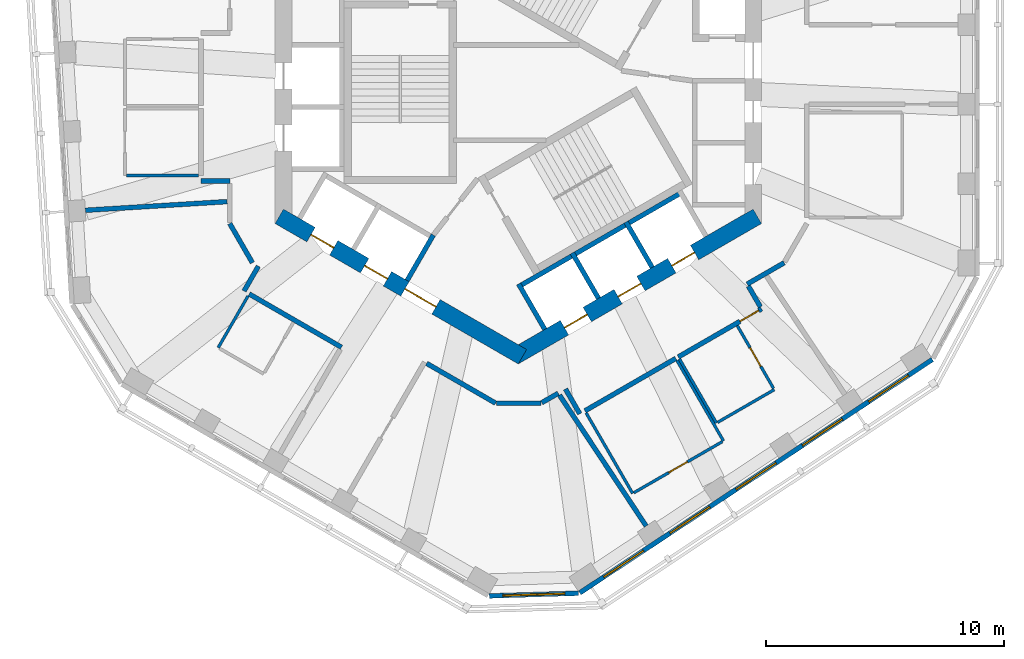
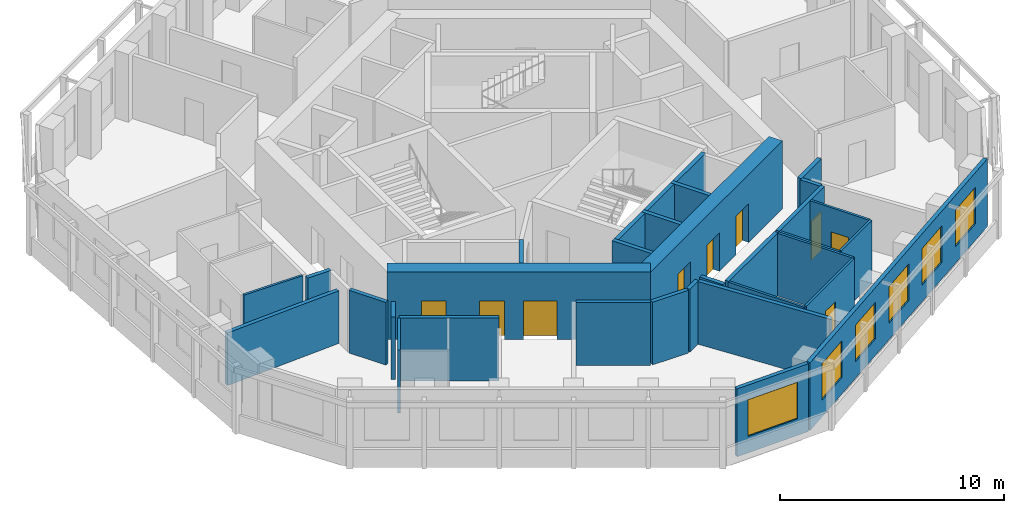
# One storey, part 4 of 11: 31 walls, 9 doors, 6 windows, 15 openings.
"""IFC4 building model written with IfcOpenShell, lengths in metres."""

import ifcopenshell
import ifcopenshell.guid

model = None  # the IFC model being written
_history = None  # IfcOwnerHistory: only IFC2X3 demands one
_inside = {}  # id of a spatial element -> (the spatial element, [elements in it])
_under = {}  # id of a project, library or spatial element -> (it, [spatial elements below it])
_declared = {}  # id of a project -> (the project, [libraries it declares])
_typed = {}  # id of a type object -> (the type object, [elements of that type])
_made_of = {}  # id of a material, layer set ... -> (it, [elements and type objects made of it])


def new_model(schema):
    """Start an empty IFC model of exactly this schema.

    Asked for "IFC4X3", IfcOpenShell would pick the latest addendum, in which some entities
    have other attributes; the version numbers below select the first issue.
    IFC2X3 requires an IfcOwnerHistory on every rooted entity: one is made here for all.
    """
    global model, _history
    if schema == "IFC4X3":
        model = ifcopenshell.file(schema_version=(4, 3, 0, 0))
    else:
        model = ifcopenshell.file(schema=schema)
    _inside.clear()
    _under.clear()
    _declared.clear()
    _typed.clear()
    _made_of.clear()
    _history = None
    if model.schema == "IFC2X3":
        org = make("IfcOrganization", Name="unknown")
        user = make(
            "IfcPersonAndOrganization",
            ThePerson=make("IfcPerson", FamilyName="unknown"),
            TheOrganization=org,
        )
        app = make(
            "IfcApplication",
            ApplicationDeveloper=org,
            Version="unknown",
            ApplicationFullName="unknown",
            ApplicationIdentifier="unknown",
        )
        _history = make(
            "IfcOwnerHistory",
            OwningUser=user,
            OwningApplication=app,
            ChangeAction="ADDED",
            CreationDate=0,
        )
    return model


def make(cls, **values):
    """One entity of the class cls with the attributes given. An attribute that is None is left unset."""
    return model.create_entity(
        cls, **{name: value for name, value in values.items() if value is not None}
    )


def rooted(cls, **values):
    """An entity with a GlobalId (a new one), such as an element, a storey or a relation."""
    return make(cls, GlobalId=ifcopenshell.guid.new(), OwnerHistory=_history, **values)


def si_unit(unit_type, name, prefix=None):
    """IfcSIUnit, for example si_unit("LENGTHUNIT", "METRE", prefix="MILLI")."""
    return make("IfcSIUnit", UnitType=unit_type, Prefix=prefix, Name=name)


def assignment(units):
    """IfcUnitAssignment: the units of a project."""
    return None if units is None else make("IfcUnitAssignment", Units=units)


def point(xyz):
    """IfcCartesianPoint."""
    return None if xyz is None else make("IfcCartesianPoint", Coordinates=xyz)


def direction(xyz):
    """IfcDirection."""
    return None if xyz is None else make("IfcDirection", DirectionRatios=xyz)


def frame(location, z_axis=None, x_axis=None):
    """IfcAxis2Placement3D, a coordinate frame: its origin and axes. An axis left out is left unset."""
    return make(
        "IfcAxis2Placement3D",
        Location=point(location),
        Axis=direction(z_axis),
        RefDirection=direction(x_axis),
    )


def frame_2d(location, x_axis=None):
    """IfcAxis2Placement2D, a coordinate frame in the plane: its origin and x axis."""
    return make(
        "IfcAxis2Placement2D", Location=point(location), RefDirection=direction(x_axis)
    )


def origin():
    """The frame at (0, 0, 0) with its axes left unset."""
    return frame((0.0, 0.0, 0.0))


def place(relative_to, where):
    """IfcLocalPlacement: puts the frame where relative to a parent placement (None: the world)."""
    return make(
        "IfcLocalPlacement", PlacementRelTo=relative_to, RelativePlacement=where
    )


def context(
    kind, dimensions, precision=None, world=None, true_north=None, identifier=None
):
    """IfcGeometricRepresentationContext, for example the 3D "Model" context."""
    return make(
        "IfcGeometricRepresentationContext",
        ContextIdentifier=identifier,
        ContextType=kind,
        CoordinateSpaceDimension=dimensions,
        Precision=precision,
        WorldCoordinateSystem=world,
        TrueNorth=true_north,
    )


def subcontext(parent, identifier, kind, view, scale=None):
    """IfcGeometricRepresentationSubContext, for example "Body" below "Model"."""
    return make(
        "IfcGeometricRepresentationSubContext",
        ContextIdentifier=identifier,
        ContextType=kind,
        ParentContext=parent,
        TargetScale=scale,
        TargetView=view,
    )


def project(units=None, contexts=None):
    """IfcProject with its units and contexts."""
    return rooted(
        "IfcProject",
        Name="project",
        RepresentationContexts=contexts,
        UnitsInContext=assignment(units),
    )


def spatial(cls, under=None, at=None, **own):
    """A site, building, storey or space (cls), placed at a placement, below another one or the project."""
    s = rooted(cls, ObjectPlacement=at, **own)
    if under is not None:
        _under.setdefault(under.id(), (under, []))[1].append(s)
    return s


def profile(cls, at=None, kind="AREA", **sizes):
    """A parametric profile (cls). Its sizes go by their IFC names, for example OverallWidth=200.0."""
    return make(cls, ProfileType=kind, Position=at, **sizes)


def rectangle(**sizes):
    """IfcRectangleProfileDef."""
    return profile("IfcRectangleProfileDef", **sizes)


def extrude(swept, where, along, depth):
    """IfcExtrudedAreaSolid: the profile swept, set in the frame where, extruded along a direction by depth."""
    return make(
        "IfcExtrudedAreaSolid",
        SweptArea=swept,
        Position=where,
        ExtrudedDirection=direction(along),
        Depth=depth,
    )


def shape(context_of_items, identifier, shape_type, items):
    """IfcShapeRepresentation: the items that make up one representation, for example the "Body"."""
    return make(
        "IfcShapeRepresentation",
        ContextOfItems=context_of_items,
        RepresentationIdentifier=identifier,
        RepresentationType=shape_type,
        Items=items,
    )


def material(Name=None, Category=None):
    """IfcMaterial."""
    return make("IfcMaterial", Name=Name, Category=Category)


def layer(
    of_material, thickness, ventilated=None, Name=None, Category=None, Priority=None
):
    """IfcMaterialLayer: one layer of a wall or slab, of a material (None: an air gap)."""
    return make(
        "IfcMaterialLayer",
        Material=of_material,
        LayerThickness=thickness,
        IsVentilated=ventilated,
        Name=Name,
        Category=Category,
        Priority=Priority,
    )


def layer_set(layers, Name=None):
    """IfcMaterialLayerSet."""
    return make("IfcMaterialLayerSet", MaterialLayers=layers, LayerSetName=Name)


def made_of(thing, what):
    """Note that an element or type object is made of a material, layer set ...; save() writes the relation."""
    if what is not None:
        _made_of.setdefault(what.id(), (what, []))[1].append(thing)
    return thing


def type_object(cls, material=None, **own):
    """A type object (cls), such as IfcWallType, which elements share."""
    return made_of(rooted(cls, **own), material)


def element(
    cls,
    number,
    at=None,
    inside=None,
    cuts=None,
    type_object=None,
    material=None,
    context=None,
    identifier="Body",
    shape_type=None,
    held_by="IfcProductDefinitionShape",
    body=None,
    shapes=None,
    **own,
):
    """One element of the class cls, such as IfcWall. Its Tag is "e" and its number.

    at: its placement. inside: the storey or other place that contains it. cuts: it is an
    opening in that element (IfcRelVoidsElement). A single representation is given by context,
    identifier, shape_type and body (its items); several are given by shapes. held_by: the class
    of the entity that holds the representations. save() writes the other relations.
    """
    e = rooted(cls, Tag="e%d" % number, ObjectPlacement=at, **own)
    if body is not None:
        shapes = [shape(context, identifier, shape_type, body)]
    if shapes is not None:
        e.Representation = make(held_by, Representations=shapes)
    if inside is not None:
        _inside.setdefault(inside.id(), (inside, []))[1].append(e)
    if cuts is not None:
        rooted(
            "IfcRelVoidsElement", RelatingBuildingElement=cuts, RelatedOpeningElement=e
        )
    if type_object is not None:
        _typed.setdefault(type_object.id(), (type_object, []))[1].append(e)
    return made_of(e, material)


def fill(opening, filler):
    """IfcRelFillsElement: the door or window that sits in an opening."""
    return rooted(
        "IfcRelFillsElement",
        RelatingOpeningElement=opening,
        RelatedBuildingElement=filler,
    )


def aggregate(whole, parts):
    """IfcRelAggregates: a whole, such as a stair, and the parts it consists of."""
    return rooted("IfcRelAggregates", RelatingObject=whole, RelatedObjects=parts)


def save(model, path):
    """Write the relations noted so far, then the file.

    IfcRelAggregates (storeys below a building ...), IfcRelContainedInSpatialStructure (elements
    in a storey), IfcRelDefinesByType, IfcRelAssociatesMaterial and IfcRelDeclares: one each for
    every whole, place, type object, material and project.
    """
    for whole, parts in _under.values():
        aggregate(whole, parts)
    for where, things in _inside.values():
        rooted(
            "IfcRelContainedInSpatialStructure",
            RelatedElements=things,
            RelatingStructure=where,
        )
    for kind, things in _typed.values():
        rooted("IfcRelDefinesByType", RelatedObjects=things, RelatingType=kind)
    for what, things in _made_of.values():
        rooted("IfcRelAssociatesMaterial", RelatedObjects=things, RelatingMaterial=what)
    for by, libraries in _declared.values():
        rooted("IfcRelDeclares", RelatingContext=by, RelatedDefinitions=libraries)
    model.write(path)


model = new_model("IFC4")

# Units and contexts
model_context = context("Model", 3, precision=1e-05, world=origin(), true_north=direction((0.0, 1.0)))
body_context = subcontext(model_context, "Body", "Model", "MODEL_VIEW")
ifc_project = project(units=[si_unit("LENGTHUNIT", "METRE"), si_unit("AREAUNIT", "SQUARE_METRE"), si_unit("VOLUMEUNIT", "CUBIC_METRE"), si_unit("PLANEANGLEUNIT", "RADIAN"), si_unit("MASSUNIT", "GRAM", prefix="KILO")], contexts=[model_context])

# Site, building, storey
site_placement = place(None, origin())
site = spatial("IfcSite", under=ifc_project, at=site_placement, CompositionType="ELEMENT")
building_placement = place(site_placement, origin())
building = spatial("IfcBuilding", under=site, at=building_placement, Name="Vanh Sen Convention Tower", CompositionType="ELEMENT")
storey_placement = place(building_placement, frame((0.0, 0.0, 270.89990234375)))
storey = spatial("IfcBuildingStorey", under=building, at=storey_placement, Name="L67", CompositionType="ELEMENT", Elevation=270.89990234375)

# Walls
ifc_material_1 = material(Name="Moisture-resistant gypsum board on steel studs", Category="steel")
ifc_layer_1 = layer(ifc_material_1, 0.1201171875)
ifc_layer_set_1 = layer_set([ifc_layer_1], Name="Moisture-resistant gypsum board on steel studs")
wall_type_1 = type_object("IfcWallType", Name="Bathroom partition 120", PredefinedType="PARTITIONING", material=ifc_layer_set_1)
wall_1_placement = place(storey_placement, frame((-13.40087890625, -3.868896484375, 0.0), z_axis=(0.0, 0.0, 1.0), x_axis=(-1.0, 0.0, 0.0)))
element("IfcWall", 1, at=wall_1_placement, inside=storey, type_object=wall_type_1, Name="Bathroom partition 120", PredefinedType="PARTITIONING", context=body_context, shape_type="SweptSolid", body=[
    extrude(rectangle(XDim=3.0400390625, YDim=0.1201171875, at=frame_2d((1.52001953125, 0.0))), origin(), (0.0, 0.0, 1.0), 3.420166015625),
])
wall_2_placement = place(storey_placement, frame((-12.584716796875, -11.09521484375, 0.0), z_axis=(0.0, 0.0, 1.0), x_axis=(0.500004234368, 0.866022959057, 0.0)))
element("IfcWall", 2, at=wall_2_placement, inside=storey, type_object=wall_type_1, Name="Bathroom partition 120", PredefinedType="PARTITIONING", context=body_context, shape_type="SweptSolid", body=[
    extrude(rectangle(XDim=2.5, YDim=0.1201171875, at=frame_2d((1.25, 0.0))), origin(), (0.0, 0.0, 1.0), 3.420166015625),
])
wall_3_placement = place(storey_placement, frame((4.7958984375, -17.20849609375, 0.0), z_axis=(0.0, 0.0, 1.0), x_axis=(-0.500043961785, 0.866000020948, 0.0)))
element("IfcWall", 3, at=wall_3_placement, inside=storey, type_object=wall_type_1, Name="Bathroom partition 120", PredefinedType="PARTITIONING", context=body_context, shape_type="SweptSolid", body=[
    extrude(rectangle(XDim=3.900146484375, YDim=0.1201171875, at=frame_2d((1.9501953125, 0.0))), origin(), (0.0, 0.0, 1.0), 3.420166015625),
])
wall_4_placement = place(storey_placement, frame((6.65625, -11.631103515625, 0.0), z_axis=(0.0, 0.0, 1.0), x_axis=(0.499997012787, -0.866027128446, 0.0)))
element("IfcWall", 4, at=wall_4_placement, inside=storey, type_object=wall_type_1, Name="Bathroom partition 120", PredefinedType="PARTITIONING", context=body_context, shape_type="SweptSolid", body=[
    extrude(rectangle(XDim=3.89990234375, YDim=0.1201171875, at=frame_2d((1.949951171875, 0.0))), origin(), (0.0, 0.0, 1.0), 3.420166015625),
])
wall_5_placement = place(storey_placement, frame((8.310302734375, -14.255859375, 0.0), z_axis=(0.0, 0.0, 1.0), x_axis=(-0.49999285859, 0.86602952684, 0.0)))
element("IfcWall", 5, at=wall_5_placement, inside=storey, type_object=wall_type_1, Name="Bathroom partition 120", PredefinedType="PARTITIONING", context=body_context, shape_type="SweptSolid", body=[
    extrude(rectangle(XDim=3.10009765625, YDim=0.1201171875, at=frame_2d((1.550048828125, 0.0))), origin(), (0.0, 0.0, 1.0), 3.420166015625),
])

# Wall, opening, door
wall_6_placement = place(storey_placement, frame((8.55419921875, -15.03857421875, 0.0), z_axis=(0.0, 0.0, 1.0), x_axis=(-0.865994635417, -0.500053288589, 0.0)))
wall_6 = element("IfcWall", 6, at=wall_6_placement, inside=storey, type_object=wall_type_1, Name="Bathroom partition 120", PredefinedType="PARTITIONING", context=body_context, shape_type="SweptSolid", body=[
    extrude(rectangle(XDim=4.27978515625, YDim=0.1201171875, at=frame_2d((2.139892578125, 0.0))), origin(), (0.0, 0.0, 1.0), 3.420166015625),
])
opening_1_placement = place(wall_6_placement, frame((1.68994140625, 0.0, 0.0)))
opening_1 = element("IfcOpeningElement", 7, at=opening_1_placement, cuts=wall_6, Name="Opening D67116", PredefinedType="OPENING", context=body_context, shape_type="SweptSolid", body=[
    extrude(rectangle(XDim=0.89990234375, YDim=2.10009765625, at=frame_2d((0.449951171875, 1.050048828125))), frame((0.0, 0.070068359375, 0.0), z_axis=(0.0, -1.0, 0.0), x_axis=(1.0, 0.0, 0.0)), (0.0, 0.0, 1.0), 0.14013671875),
])
ifc_material_2 = material(Name="Laminate door in steel frame", Category="steel")
door_type_1 = type_object("IfcDoorType", Name="Room internal door 900", OperationType="SINGLE_SWING_LEFT", PredefinedType="DOOR", material=ifc_material_2)
door_1_placement = place(opening_1_placement, origin())
door_1 = element("IfcDoor", 8, at=door_1_placement, inside=storey, type_object=door_type_1, Name="Internal room door D67116", OperationType="SINGLE_SWING_LEFT", OverallHeight=2.10009765625, OverallWidth=0.89990234375, PredefinedType="DOOR", context=body_context, shape_type="SweptSolid", body=[
    extrude(rectangle(XDim=0.89990234375, YDim=2.10009765625, at=frame_2d((0.449951171875, 1.050048828125))), frame((0.0, 0.02490234375, 0.0), z_axis=(0.0, -1.0, 0.0), x_axis=(1.0, 0.0, 0.0)), (0.0, 0.0, 1.0), 0.050048828125),
])
fill(opening_1, door_1)

wall_7_placement = place(storey_placement, frame((10.705078125, -12.8037109375, 0.0), z_axis=(0.0, 0.0, 1.0), x_axis=(-0.500026023896, 0.86601037836, 0.0)))
wall_7 = element("IfcWall", 9, at=wall_7_placement, inside=storey, type_object=wall_type_1, Name="Bathroom partition 120", PredefinedType="PARTITIONING", context=body_context, shape_type="SweptSolid", body=[
    extrude(rectangle(XDim=3.039794921875, YDim=0.1201171875, at=frame_2d((1.52001953125, 0.0))), origin(), (0.0, 0.0, 1.0), 3.420166015625),
])
opening_2_placement = place(wall_7_placement, frame((1.070068359375, 0.0, 0.0)))
opening_2 = element("IfcOpeningElement", 10, at=opening_2_placement, cuts=wall_7, Name="Opening D67117", PredefinedType="OPENING", context=body_context, shape_type="SweptSolid", body=[
    extrude(rectangle(XDim=0.89990234375, YDim=2.10009765625, at=frame_2d((0.449951171875, 1.050048828125))), frame((0.0, 0.070068359375, 0.0), z_axis=(0.0, -1.0, 0.0), x_axis=(1.0, 0.0, 0.0)), (0.0, 0.0, 1.0), 0.14013671875),
])
door_2_placement = place(opening_2_placement, origin())
door_2 = element("IfcDoor", 11, at=door_2_placement, inside=storey, type_object=door_type_1, Name="Internal room door D67117", OperationType="SINGLE_SWING_LEFT", OverallHeight=2.10009765625, OverallWidth=0.89990234375, PredefinedType="DOOR", context=body_context, shape_type="SweptSolid", body=[
    extrude(rectangle(XDim=0.89990234375, YDim=2.10009765625, at=frame_2d((0.449951171875, 1.050048828125))), frame((0.0, 0.02490234375, 0.0), z_axis=(0.0, -1.0, 0.0), x_axis=(1.0, 0.0, 0.0)), (0.0, 0.0, 1.0), 0.050048828125),
])
fill(opening_2, door_2)

# Wall
wall_8_placement = place(storey_placement, frame((10.735107421875, -12.855712890625, 0.0), z_axis=(0.0, 0.0, 1.0), x_axis=(-0.865997131366, -0.500048966069, 0.0)))
element("IfcWall", 12, at=wall_8_placement, inside=storey, type_object=wall_type_1, Name="Bathroom partition 120", PredefinedType="PARTITIONING", context=body_context, shape_type="SweptSolid", body=[
    extrude(rectangle(XDim=2.739990234375, YDim=0.1201171875, at=frame_2d((1.3701171875, 0.0))), origin(), (0.0, 0.0, 1.0), 3.420166015625),
])

# Wall, openings, doors
ifc_material_3 = material(Name="Concrete C60/75", Category="concrete")
ifc_layer_2 = layer(ifc_material_3, 0.699951171875)
ifc_layer_set_2 = layer_set([ifc_layer_2], Name="Concrete C60/75")
wall_type_2 = type_object("IfcWallType", Name="Core outer wall 700 C60/75", PredefinedType="SHEAR", material=ifc_layer_set_2)
wall_9_placement = place(storey_placement, frame((-10.02490234375, -5.5859375, 0.0), z_axis=(0.0, 0.0, 1.0), x_axis=(0.866026453023, -0.499998182661, 0.0)))
wall_9 = element("IfcWall", 13, at=wall_9_placement, inside=storey, type_object=wall_type_2, Name="Core wall face SW L67", PredefinedType="SHEAR", context=body_context, shape_type="SweptSolid", body=[
    extrude(rectangle(XDim=11.77783203125, YDim=0.699951171875, at=frame_2d((5.888916015625, 0.0))), origin(), (0.0, 0.0, 1.0), 3.7001953125),
])
opening_3_placement = place(wall_9_placement, frame((6.089111328125, 0.0, 0.0)))
opening_3 = element("IfcOpeningElement", 14, at=opening_3_placement, cuts=wall_9, Name="Opening D67003", PredefinedType="OPENING", context=body_context, shape_type="SweptSolid", body=[
    extrude(rectangle(XDim=1.5, YDim=2.10009765625, at=frame_2d((0.75, 1.050048828125))), frame((0.0, 0.35986328125, 0.0), z_axis=(0.0, -1.0, 0.0), x_axis=(1.0, 0.0, 0.0)), (0.0, 0.0, 1.0), 0.719970703125),
])
opening_4_placement = place(wall_9_placement, frame((1.5390625, 0.0, 0.0)))
opening_4 = element("IfcOpeningElement", 15, at=opening_4_placement, cuts=wall_9, Name="Opening LD-HR3", PredefinedType="OPENING", context=body_context, shape_type="SweptSolid", body=[
    extrude(rectangle(XDim=1.10009765625, YDim=2.10009765625, at=frame_2d((0.550048828125, 1.050048828125))), frame((0.0, 0.35986328125, 0.0), z_axis=(0.0, -1.0, 0.0), x_axis=(1.0, 0.0, 0.0)), (0.0, 0.0, 1.0), 0.719970703125),
])
opening_5_placement = place(wall_9_placement, frame((4.138916015625, 0.0, 0.0)))
opening_5 = element("IfcOpeningElement", 16, at=opening_5_placement, cuts=wall_9, Name="Opening LD-HR4", PredefinedType="OPENING", context=body_context, shape_type="SweptSolid", body=[
    extrude(rectangle(XDim=1.10009765625, YDim=2.10009765625, at=frame_2d((0.550048828125, 1.050048828125))), frame((0.0, 0.35986328125, 0.0), z_axis=(0.0, -1.0, 0.0), x_axis=(1.0, 0.0, 0.0)), (0.0, 0.0, 1.0), 0.719970703125),
])
ifc_material_4 = material(Name="Stainless steel", Category="steel")
door_type_2 = type_object("IfcDoorType", Name="Lift landing door 1100", OperationType="DOUBLE_DOOR_SLIDING", PredefinedType="DOOR", material=ifc_material_4)
door_3_placement = place(opening_4_placement, origin())
door_3 = element("IfcDoor", 17, at=door_3_placement, inside=storey, type_object=door_type_2, Name="Lift HR3 landing door LD-HR3", OperationType="DOUBLE_DOOR_SLIDING", OverallHeight=2.10009765625, OverallWidth=1.10009765625, PredefinedType="DOOR", context=body_context, shape_type="SweptSolid", body=[
    extrude(rectangle(XDim=1.10009765625, YDim=2.10009765625, at=frame_2d((0.550048828125, 1.050048828125))), frame((0.0, 0.02490234375, 0.0), z_axis=(0.0, -1.0, 0.0), x_axis=(1.0, 0.0, 0.0)), (0.0, 0.0, 1.0), 0.050048828125),
])
fill(opening_4, door_3)
door_4_placement = place(opening_5_placement, origin())
door_4 = element("IfcDoor", 18, at=door_4_placement, inside=storey, type_object=door_type_2, Name="Lift HR4 landing door LD-HR4", OperationType="DOUBLE_DOOR_SLIDING", OverallHeight=2.10009765625, OverallWidth=1.10009765625, PredefinedType="DOOR", context=body_context, shape_type="SweptSolid", body=[
    extrude(rectangle(XDim=1.10009765625, YDim=2.10009765625, at=frame_2d((0.550048828125, 1.050048828125))), frame((0.0, 0.02490234375, 0.0), z_axis=(0.0, -1.0, 0.0), x_axis=(1.0, 0.0, 0.0)), (0.0, 0.0, 1.0), 0.050048828125),
])
fill(opening_5, door_4)
ifc_material_5 = material(Name="Steel S355", Category="steel")
door_type_3 = type_object("IfcDoorType", Name="Stair lobby door 1500", OperationType="DOUBLE_DOOR_SINGLE_SWING", PredefinedType="DOOR", material=ifc_material_5)
door_5_placement = place(opening_3_placement, origin())
door_5 = element("IfcDoor", 19, at=door_5_placement, inside=storey, type_object=door_type_3, Name="Stair lobby door D67003", OperationType="DOUBLE_DOOR_SINGLE_SWING", OverallHeight=2.10009765625, OverallWidth=1.5, PredefinedType="DOOR", context=body_context, shape_type="SweptSolid", body=[
    extrude(rectangle(XDim=1.5, YDim=2.10009765625, at=frame_2d((0.75, 1.050048828125))), frame((0.0, 0.02490234375, 0.0), z_axis=(0.0, -1.0, 0.0), x_axis=(1.0, 0.0, 0.0)), (0.0, 0.0, 1.0), 0.050048828125),
])
fill(opening_3, door_5)

wall_10_placement = place(storey_placement, frame((-0.175048828125, -11.474853515625, 0.0), z_axis=(0.0, 0.0, 1.0), x_axis=(0.866026453023, 0.499998182661, 0.0)))
wall_10 = element("IfcWall", 20, at=wall_10_placement, inside=storey, type_object=wall_type_2, Name="Core wall face SE L67", PredefinedType="SHEAR", context=body_context, shape_type="SweptSolid", body=[
    extrude(rectangle(XDim=11.77783203125, YDim=0.699951171875, at=frame_2d((5.888916015625, 0.0))), origin(), (0.0, 0.0, 1.0), 3.7001953125),
])
opening_6_placement = place(wall_10_placement, frame((2.43896484375, 0.0, 0.0)))
opening_6 = element("IfcOpeningElement", 21, at=opening_6_placement, cuts=wall_10, Name="Opening LD-HR5", PredefinedType="OPENING", context=body_context, shape_type="SweptSolid", body=[
    extrude(rectangle(XDim=1.10009765625, YDim=2.10009765625, at=frame_2d((0.550048828125, 1.050048828125))), frame((0.0, 0.35986328125, 0.0), z_axis=(0.0, -1.0, 0.0), x_axis=(1.0, 0.0, 0.0)), (0.0, 0.0, 1.0), 0.719970703125),
])
opening_7_placement = place(wall_10_placement, frame((5.0390625, 0.0, 0.0)))
opening_7 = element("IfcOpeningElement", 22, at=opening_7_placement, cuts=wall_10, Name="Opening LD-HR6", PredefinedType="OPENING", context=body_context, shape_type="SweptSolid", body=[
    extrude(rectangle(XDim=1.10009765625, YDim=2.10009765625, at=frame_2d((0.550048828125, 1.050048828125))), frame((0.0, 0.35986328125, 0.0), z_axis=(0.0, -1.0, 0.0), x_axis=(1.0, 0.0, 0.0)), (0.0, 0.0, 1.0), 0.719970703125),
])
opening_8_placement = place(wall_10_placement, frame((7.638916015625, 0.0, 0.0)))
opening_8 = element("IfcOpeningElement", 23, at=opening_8_placement, cuts=wall_10, Name="Opening LD-SV1", PredefinedType="OPENING", context=body_context, shape_type="SweptSolid", body=[
    extrude(rectangle(XDim=1.10009765625, YDim=2.10009765625, at=frame_2d((0.550048828125, 1.050048828125))), frame((0.0, 0.35986328125, 0.0), z_axis=(0.0, -1.0, 0.0), x_axis=(1.0, 0.0, 0.0)), (0.0, 0.0, 1.0), 0.719970703125),
])
door_6_placement = place(opening_6_placement, origin())
door_6 = element("IfcDoor", 24, at=door_6_placement, inside=storey, type_object=door_type_2, Name="Lift HR5 landing door LD-HR5", OperationType="DOUBLE_DOOR_SLIDING", OverallHeight=2.10009765625, OverallWidth=1.10009765625, PredefinedType="DOOR", context=body_context, shape_type="SweptSolid", body=[
    extrude(rectangle(XDim=1.10009765625, YDim=2.10009765625, at=frame_2d((0.550048828125, 1.050048828125))), frame((0.0, 0.02490234375, 0.0), z_axis=(0.0, -1.0, 0.0), x_axis=(1.0, 0.0, 0.0)), (0.0, 0.0, 1.0), 0.050048828125),
])
fill(opening_6, door_6)
door_7_placement = place(opening_7_placement, origin())
door_7 = element("IfcDoor", 25, at=door_7_placement, inside=storey, type_object=door_type_2, Name="Lift HR6 landing door LD-HR6", OperationType="DOUBLE_DOOR_SLIDING", OverallHeight=2.10009765625, OverallWidth=1.10009765625, PredefinedType="DOOR", context=body_context, shape_type="SweptSolid", body=[
    extrude(rectangle(XDim=1.10009765625, YDim=2.10009765625, at=frame_2d((0.550048828125, 1.050048828125))), frame((0.0, 0.02490234375, 0.0), z_axis=(0.0, -1.0, 0.0), x_axis=(1.0, 0.0, 0.0)), (0.0, 0.0, 1.0), 0.050048828125),
])
fill(opening_7, door_7)
door_8_placement = place(opening_8_placement, origin())
door_8 = element("IfcDoor", 26, at=door_8_placement, inside=storey, type_object=door_type_2, Name="Lift SV1 landing door LD-SV1", OperationType="DOUBLE_DOOR_SLIDING", OverallHeight=2.10009765625, OverallWidth=1.10009765625, PredefinedType="DOOR", context=body_context, shape_type="SweptSolid", body=[
    extrude(rectangle(XDim=1.10009765625, YDim=2.10009765625, at=frame_2d((0.550048828125, 1.050048828125))), frame((0.0, 0.02490234375, 0.0), z_axis=(0.0, -1.0, 0.0), x_axis=(1.0, 0.0, 0.0)), (0.0, 0.0, 1.0), 0.050048828125),
])
fill(opening_8, door_8)

# Walls
ifc_material_6 = material(Name="Gypsum board on steel studs with mineral wool", Category="steel")
ifc_layer_3 = layer(ifc_material_6, 0.199951171875)
ifc_layer_set_3 = layer_set([ifc_layer_3], Name="Gypsum board on steel studs with mineral wool")
wall_type_3 = type_object("IfcWallType", Name="Corridor partition wall 200", PredefinedType="PARTITIONING", material=ifc_layer_set_3)
wall_11_placement = place(storey_placement, frame((-13.301025390625, -4.10107421875, 0.0), z_axis=(0.0, 0.0, 1.0), x_axis=(1.0, 0.0, 0.0)))
element("IfcWall", 27, at=wall_11_placement, inside=storey, type_object=wall_type_3, Name="Corridor partition wall 200", PredefinedType="PARTITIONING", context=body_context, shape_type="SweptSolid", body=[
    extrude(rectangle(XDim=1.200927734375, YDim=0.199951171875, at=frame_2d((0.6005859375, 0.0))), origin(), (0.0, 0.0, 1.0), 3.420166015625),
])
wall_12_placement = place(storey_placement, frame((-12.10009765625, -5.888916015625, 0.0), z_axis=(0.0, 0.0, 1.0), x_axis=(0.500063520245, -0.865988727248, 0.0)))
element("IfcWall", 28, at=wall_12_placement, inside=storey, type_object=wall_type_3, Name="Corridor partition wall 200", PredefinedType="PARTITIONING", context=body_context, shape_type="SweptSolid", body=[
    extrude(rectangle(XDim=1.900146484375, YDim=0.199951171875, at=frame_2d((0.9501953125, 0.0))), origin(), (0.0, 0.0, 1.0), 3.420166015625),
])
wall_13_placement = place(storey_placement, frame((-11.28466796875, -8.843505859375, 0.0), z_axis=(0.0, 0.0, 1.0), x_axis=(0.866021785011, -0.500006267848, 0.0)))
element("IfcWall", 29, at=wall_13_placement, inside=storey, type_object=wall_type_3, Name="Corridor partition wall 200", PredefinedType="PARTITIONING", context=body_context, shape_type="SweptSolid", body=[
    extrude(rectangle(XDim=4.4677734375, YDim=0.199951171875, at=frame_2d((2.23388671875, 0.0))), origin(), (0.0, 0.0, 1.0), 3.420166015625),
])
wall_14_placement = place(storey_placement, frame((-10.900634765625, -7.678466796875, 0.0), z_axis=(0.0, 0.0, 1.0), x_axis=(-0.500074377092, -0.865982457891, 0.0)))
element("IfcWall", 30, at=wall_14_placement, inside=storey, type_object=wall_type_3, Name="Corridor partition wall 200", PredefinedType="PARTITIONING", context=body_context, shape_type="SweptSolid", body=[
    extrude(rectangle(XDim=1.200927734375, YDim=0.199951171875, at=frame_2d((0.6005859375, 0.0))), origin(), (0.0, 0.0, 1.0), 3.420166015625),
])
wall_15_placement = place(storey_placement, frame((-3.84326171875, -11.7529296875, 0.0), z_axis=(0.0, 0.0, 1.0), x_axis=(0.866031037473, -0.499990242038, 0.0)))
element("IfcWall", 31, at=wall_15_placement, inside=storey, type_object=wall_type_3, Name="Corridor partition wall 200", PredefinedType="PARTITIONING", context=body_context, shape_type="SweptSolid", body=[
    extrude(rectangle(XDim=3.3408203125, YDim=0.199951171875, at=frame_2d((1.67041015625, 0.0))), origin(), (0.0, 0.0, 1.0), 3.420166015625),
])
wall_16_placement = place(storey_placement, frame((-0.909912109375, -13.42333984375, 0.0), z_axis=(0.0, 0.0, 1.0), x_axis=(1.0, 0.0, 0.0)))
element("IfcWall", 32, at=wall_16_placement, inside=storey, type_object=wall_type_3, Name="Corridor partition wall 200", PredefinedType="PARTITIONING", context=body_context, shape_type="SweptSolid", body=[
    extrude(rectangle(XDim=1.85986328125, YDim=0.199951171875, at=frame_2d((0.929931640625, 0.0))), origin(), (0.0, 0.0, 1.0), 3.420166015625),
])
wall_17_placement = place(storey_placement, frame((0.984619140625, -13.4033203125, 0.0), z_axis=(0.0, 0.0, 1.0), x_axis=(0.866032814021, 0.499987164874, 0.0)))
element("IfcWall", 33, at=wall_17_placement, inside=storey, type_object=wall_type_3, Name="Corridor partition wall 200", PredefinedType="PARTITIONING", context=body_context, shape_type="SweptSolid", body=[
    extrude(rectangle(XDim=0.79833984375, YDim=0.199951171875, at=frame_2d((0.399169921875, 0.0))), origin(), (0.0, 0.0, 1.0), 3.420166015625),
])
wall_18_placement = place(storey_placement, frame((1.978759765625, -12.829345703125, 0.0), z_axis=(0.0, 0.0, 1.0), x_axis=(0.500074377092, -0.865982457891, 0.0)))
element("IfcWall", 34, at=wall_18_placement, inside=storey, type_object=wall_type_3, Name="Corridor partition wall 200", PredefinedType="PARTITIONING", context=body_context, shape_type="SweptSolid", body=[
    extrude(rectangle(XDim=1.200927734375, YDim=0.199951171875, at=frame_2d((0.6005859375, 0.0))), origin(), (0.0, 0.0, 1.0), 3.420166015625),
])
wall_19_placement = place(storey_placement, frame((2.7958984375, -13.744384765625, 0.0), z_axis=(0.0, 0.0, 1.0), x_axis=(0.866018331238, 0.50001224981, 0.0)))
element("IfcWall", 35, at=wall_19_placement, inside=storey, type_object=wall_type_3, Name="Corridor partition wall 200", PredefinedType="PARTITIONING", context=body_context, shape_type="SweptSolid", body=[
    extrude(rectangle(XDim=4.39990234375, YDim=0.199951171875, at=frame_2d((2.199951171875, 0.0))), origin(), (0.0, 0.0, 1.0), 3.420166015625),
])

# Wall, opening, door
wall_20_placement = place(storey_placement, frame((6.710205078125, -11.484619140625, 0.0), z_axis=(0.0, 0.0, 1.0), x_axis=(0.866021232452, 0.500007224889, 0.0)))
wall_20 = element("IfcWall", 36, at=wall_20_placement, inside=storey, type_object=wall_type_3, Name="Corridor partition wall 200", PredefinedType="PARTITIONING", context=body_context, shape_type="SweptSolid", body=[
    extrude(rectangle(XDim=4.0322265625, YDim=0.199951171875, at=frame_2d((2.01611328125, 0.0))), origin(), (0.0, 0.0, 1.0), 3.420166015625),
])
opening_9_placement = place(wall_20_placement, frame((2.990966796875, 0.0, 0.0)))
opening_9 = element("IfcOpeningElement", 37, at=opening_9_placement, cuts=wall_20, Name="Opening D67115", PredefinedType="OPENING", context=body_context, shape_type="SweptSolid", body=[
    extrude(rectangle(XDim=0.89990234375, YDim=2.10009765625, at=frame_2d((0.449951171875, 1.050048828125))), frame((0.0, 0.10986328125, 0.0), z_axis=(0.0, -1.0, 0.0), x_axis=(1.0, 0.0, 0.0)), (0.0, 0.0, 1.0), 0.219970703125),
])
ifc_material_7 = material(Name="Glazed fire door in steel frame", Category="steel")
door_type_4 = type_object("IfcDoorType", Name="Tenant entrance door 900", OperationType="SINGLE_SWING_LEFT", PredefinedType="DOOR", material=ifc_material_7)
door_9_placement = place(opening_9_placement, origin())
door_9 = element("IfcDoor", 38, at=door_9_placement, inside=storey, type_object=door_type_4, Name="Tenant suite entrance door D67115", OperationType="SINGLE_SWING_LEFT", OverallHeight=2.10009765625, OverallWidth=0.89990234375, PredefinedType="DOOR", context=body_context, shape_type="SweptSolid", body=[
    extrude(rectangle(XDim=0.89990234375, YDim=2.10009765625, at=frame_2d((0.449951171875, 1.050048828125))), frame((0.0, 0.02490234375, 0.0), z_axis=(0.0, -1.0, 0.0), x_axis=(1.0, 0.0, 0.0)), (0.0, 0.0, 1.0), 0.050048828125),
])
fill(opening_9, door_9)

# Walls
wall_21_placement = place(storey_placement, frame((9.6015625, -8.428466796875, 0.0), z_axis=(0.0, 0.0, 1.0), x_axis=(0.865999114786, 0.500045531117, 0.0)))
element("IfcWall", 39, at=wall_21_placement, inside=storey, type_object=wall_type_3, Name="Corridor partition wall 200", PredefinedType="PARTITIONING", context=body_context, shape_type="SweptSolid", body=[
    extrude(rectangle(XDim=1.787841796875, YDim=0.199951171875, at=frame_2d((0.89404296875, 0.0))), origin(), (0.0, 0.0, 1.0), 3.420166015625),
])
wall_22_placement = place(storey_placement, frame((10.152099609375, -9.3818359375, 0.0), z_axis=(0.0, 0.0, 1.0), x_axis=(-0.499968756647, 0.866043441391, 0.0)))
element("IfcWall", 40, at=wall_22_placement, inside=storey, type_object=wall_type_3, Name="Corridor partition wall 200", PredefinedType="PARTITIONING", context=body_context, shape_type="SweptSolid", body=[
    extrude(rectangle(XDim=1.0009765625, YDim=0.199951171875, at=frame_2d((0.50048828125, 0.0))), origin(), (0.0, 0.0, 1.0), 3.420166015625),
])

# Wall, opening, window
ifc_material_8 = material(Name="Insulated lightweight infill wall")
ifc_layer_4 = layer(ifc_material_8, 0.199951171875)
ifc_layer_set_4 = layer_set([ifc_layer_4], Name="Insulated lightweight infill wall")
wall_type_4 = type_object("IfcWallType", Name="External wall 200", PredefinedType="STANDARD", material=ifc_layer_set_4)
wall_23_placement = place(storey_placement, frame((-1.21728515625, -21.508056640625, 0.0), z_axis=(0.0, 0.0, 1.0), x_axis=(0.99953295295, 0.030559384285, 0.0)))
wall_23 = element("IfcWall", 41, at=wall_23_placement, inside=storey, type_object=wall_type_4, Name="External wall CH5 L67", PredefinedType="STANDARD", context=body_context, shape_type="SweptSolid", body=[
    extrude(rectangle(XDim=3.746826171875, YDim=0.199951171875, at=frame_2d((1.87353515625, 0.0))), origin(), (0.0, 0.0, 1.0), 3.7001953125),
])
opening_10_placement = place(wall_23_placement, frame((0.573486328125, 0.0, 0.89990234375)))
opening_10 = element("IfcOpeningElement", 42, at=opening_10_placement, cuts=wall_23, Name="Opening WO6-CH51", PredefinedType="OPENING", context=body_context, shape_type="SweptSolid", body=[
    extrude(rectangle(XDim=2.60009765625, YDim=2.0, at=frame_2d((1.300048828125, 1.0))), frame((0.0, 0.10986328125, 0.0), z_axis=(0.0, -1.0, 0.0), x_axis=(1.0, 0.0, 0.0)), (0.0, 0.0, 1.0), 0.219970703125),
])
ifc_material_9 = material(Name="Aluminium frame with clear low-emissivity glass", Category="aluminium")
window_type_1 = type_object("IfcWindowType", Name="Office window 2600 x 2000", PartitioningType="SINGLE_PANEL", PredefinedType="WINDOW", material=ifc_material_9)
window_1_placement = place(opening_10_placement, origin())
window_1 = element("IfcWindow", 43, at=window_1_placement, inside=storey, type_object=window_type_1, Name="Window WO6-CH51", OverallHeight=2.0, OverallWidth=2.60009765625, PartitioningType="SINGLE_PANEL", PredefinedType="WINDOW", context=body_context, shape_type="SweptSolid", body=[
    extrude(rectangle(XDim=2.60009765625, YDim=2.0, at=frame_2d((1.300048828125, 1.0))), frame((0.0, 0.030029296875, 0.0), z_axis=(0.0, -1.0, 0.0), x_axis=(1.0, 0.0, 0.0)), (0.0, 0.0, 1.0), 0.06005859375),
])
fill(opening_10, window_1)

# Wall, openings, windows
wall_24_placement = place(storey_placement, frame((2.580078125, -21.376953125, 0.0), z_axis=(0.0, 0.0, 1.0), x_axis=(0.833888592176, 0.551932800112, 0.0)))
wall_24 = element("IfcWall", 44, at=wall_24_placement, inside=storey, type_object=wall_type_4, Name="External wall SE L67", PredefinedType="STANDARD", context=body_context, shape_type="SweptSolid", body=[
    extrude(rectangle(XDim=17.7314453125, YDim=0.199951171875, at=frame_2d((8.86572265625, 0.0))), origin(), (0.0, 0.0, 1.0), 3.7001953125),
])
opening_11_placement = place(wall_24_placement, frame((1.20166015625, 0.0, 0.89990234375)))
opening_11 = element("IfcOpeningElement", 45, at=opening_11_placement, cuts=wall_24, Name="Opening WO5-SE1", PredefinedType="OPENING", context=body_context, shape_type="SweptSolid", body=[
    extrude(rectangle(XDim=2.0, YDim=2.0, at=frame_2d((1.0, 1.0))), frame((0.0, 0.10986328125, 0.0), z_axis=(0.0, -1.0, 0.0), x_axis=(1.0, 0.0, 0.0)), (0.0, 0.0, 1.0), 0.219970703125),
])
opening_12_placement = place(wall_24_placement, frame((4.533203125, 0.0, 0.89990234375)))
opening_12 = element("IfcOpeningElement", 46, at=opening_12_placement, cuts=wall_24, Name="Opening WO5-SE2", PredefinedType="OPENING", context=body_context, shape_type="SweptSolid", body=[
    extrude(rectangle(XDim=2.0, YDim=2.0, at=frame_2d((1.0, 1.0))), frame((0.0, 0.10986328125, 0.0), z_axis=(0.0, -1.0, 0.0), x_axis=(1.0, 0.0, 0.0)), (0.0, 0.0, 1.0), 0.219970703125),
])
opening_13_placement = place(wall_24_placement, frame((7.864990234375, 0.0, 0.89990234375)))
opening_13 = element("IfcOpeningElement", 47, at=opening_13_placement, cuts=wall_24, Name="Opening WO5-SE3", PredefinedType="OPENING", context=body_context, shape_type="SweptSolid", body=[
    extrude(rectangle(XDim=2.0, YDim=2.0, at=frame_2d((1.0, 1.0))), frame((0.0, 0.10986328125, 0.0), z_axis=(0.0, -1.0, 0.0), x_axis=(1.0, 0.0, 0.0)), (0.0, 0.0, 1.0), 0.219970703125),
])
opening_14_placement = place(wall_24_placement, frame((11.196533203125, 0.0, 0.89990234375)))
opening_14 = element("IfcOpeningElement", 48, at=opening_14_placement, cuts=wall_24, Name="Opening WO5-SE4", PredefinedType="OPENING", context=body_context, shape_type="SweptSolid", body=[
    extrude(rectangle(XDim=2.0, YDim=2.0, at=frame_2d((1.0, 1.0))), frame((0.0, 0.10986328125, 0.0), z_axis=(0.0, -1.0, 0.0), x_axis=(1.0, 0.0, 0.0)), (0.0, 0.0, 1.0), 0.219970703125),
])
opening_15_placement = place(wall_24_placement, frame((14.528076171875, 0.0, 0.89990234375)))
opening_15 = element("IfcOpeningElement", 49, at=opening_15_placement, cuts=wall_24, Name="Opening WO5-SE5", PredefinedType="OPENING", context=body_context, shape_type="SweptSolid", body=[
    extrude(rectangle(XDim=2.0, YDim=2.0, at=frame_2d((1.0, 1.0))), frame((0.0, 0.10986328125, 0.0), z_axis=(0.0, -1.0, 0.0), x_axis=(1.0, 0.0, 0.0)), (0.0, 0.0, 1.0), 0.219970703125),
])
window_type_2 = type_object("IfcWindowType", Name="Office window 2000 x 2000", PartitioningType="SINGLE_PANEL", PredefinedType="WINDOW", material=ifc_material_9)
window_2_placement = place(opening_11_placement, origin())
window_2 = element("IfcWindow", 50, at=window_2_placement, inside=storey, type_object=window_type_2, Name="Window WO5-SE1", OverallHeight=2.0, OverallWidth=2.0, PartitioningType="SINGLE_PANEL", PredefinedType="WINDOW", context=body_context, shape_type="SweptSolid", body=[
    extrude(rectangle(XDim=2.0, YDim=2.0, at=frame_2d((1.0, 1.0))), frame((0.0, 0.030029296875, 0.0), z_axis=(0.0, -1.0, 0.0), x_axis=(1.0, 0.0, 0.0)), (0.0, 0.0, 1.0), 0.06005859375),
])
fill(opening_11, window_2)
window_3_placement = place(opening_12_placement, origin())
window_3 = element("IfcWindow", 51, at=window_3_placement, inside=storey, type_object=window_type_2, Name="Window WO5-SE2", OverallHeight=2.0, OverallWidth=2.0, PartitioningType="SINGLE_PANEL", PredefinedType="WINDOW", context=body_context, shape_type="SweptSolid", body=[
    extrude(rectangle(XDim=2.0, YDim=2.0, at=frame_2d((1.0, 1.0))), frame((0.0, 0.030029296875, 0.0), z_axis=(0.0, -1.0, 0.0), x_axis=(1.0, 0.0, 0.0)), (0.0, 0.0, 1.0), 0.06005859375),
])
fill(opening_12, window_3)
window_4_placement = place(opening_13_placement, origin())
window_4 = element("IfcWindow", 52, at=window_4_placement, inside=storey, type_object=window_type_2, Name="Window WO5-SE3", OverallHeight=2.0, OverallWidth=2.0, PartitioningType="SINGLE_PANEL", PredefinedType="WINDOW", context=body_context, shape_type="SweptSolid", body=[
    extrude(rectangle(XDim=2.0, YDim=2.0, at=frame_2d((1.0, 1.0))), frame((0.0, 0.030029296875, 0.0), z_axis=(0.0, -1.0, 0.0), x_axis=(1.0, 0.0, 0.0)), (0.0, 0.0, 1.0), 0.06005859375),
])
fill(opening_13, window_4)
window_5_placement = place(opening_14_placement, origin())
window_5 = element("IfcWindow", 53, at=window_5_placement, inside=storey, type_object=window_type_2, Name="Window WO5-SE4", OverallHeight=2.0, OverallWidth=2.0, PartitioningType="SINGLE_PANEL", PredefinedType="WINDOW", context=body_context, shape_type="SweptSolid", body=[
    extrude(rectangle(XDim=2.0, YDim=2.0, at=frame_2d((1.0, 1.0))), frame((0.0, 0.030029296875, 0.0), z_axis=(0.0, -1.0, 0.0), x_axis=(1.0, 0.0, 0.0)), (0.0, 0.0, 1.0), 0.06005859375),
])
fill(opening_14, window_5)
window_6_placement = place(opening_15_placement, origin())
window_6 = element("IfcWindow", 54, at=window_6_placement, inside=storey, type_object=window_type_2, Name="Window WO5-SE5", OverallHeight=2.0, OverallWidth=2.0, PartitioningType="SINGLE_PANEL", PredefinedType="WINDOW", context=body_context, shape_type="SweptSolid", body=[
    extrude(rectangle(XDim=2.0, YDim=2.0, at=frame_2d((1.0, 1.0))), frame((0.0, 0.030029296875, 0.0), z_axis=(0.0, -1.0, 0.0), x_axis=(1.0, 0.0, 0.0)), (0.0, 0.0, 1.0), 0.06005859375),
])
fill(opening_15, window_6)

# Walls
ifc_material_10 = material(Name="Concrete C40/50", Category="concrete")
ifc_layer_5 = layer(ifc_material_10, 0.199951171875)
ifc_layer_set_5 = layer_set([ifc_layer_5], Name="Concrete C40/50")
wall_type_5 = type_object("IfcWallType", Name="Lift shaft wall 200", PredefinedType="PARTITIONING", material=ifc_layer_set_5)
wall_25_placement = place(storey_placement, frame((-3.5634765625, -6.3720703125, 0.0), z_axis=(0.0, 0.0, 1.0), x_axis=(-0.499994660107, -0.866028486751, 0.0)))
element("IfcWall", 55, at=wall_25_placement, inside=storey, type_object=wall_type_5, Name="Lift shaft wall L67", PredefinedType="PARTITIONING", context=body_context, shape_type="SweptSolid", body=[
    extrude(rectangle(XDim=2.19970703125, YDim=0.199951171875, at=frame_2d((1.099853515625, 0.0))), origin(), (0.0, 0.0, 1.0), 3.420166015625),
])
wall_26_placement = place(storey_placement, frame((-0.02392578125, -8.55859375, 0.0), z_axis=(0.0, 0.0, 1.0), x_axis=(0.866026010844, 0.49999894854, 0.0)))
element("IfcWall", 56, at=wall_26_placement, inside=storey, type_object=wall_type_5, Name="Lift shaft wall L67", PredefinedType="PARTITIONING", context=body_context, shape_type="SweptSolid", body=[
    extrude(rectangle(XDim=8.0, YDim=0.199951171875, at=frame_2d((4.0, 0.0))), origin(), (0.0, 0.0, 1.0), 3.420166015625),
])
for number, where, z_axis, x_axis, name in (
    (57, (0.0126953125, -8.422119140625, 0.0), (0.0, 0.0, 1.0), (0.500077893725, -0.86598042715, 0.0), "Lift shaft wall L67"),
    (58, (2.264404296875, -7.1220703125, 0.0), (0.0, 0.0, 1.0), (0.500077893725, -0.86598042715, 0.0), "Lift shaft wall L67"),
    (59, (4.51611328125, -5.822021484375, 0.0), (0.0, 0.0, 1.0), (0.499946605688, -0.86605622881, 0.0), "Lift shaft wall L67"),
):
    element("IfcWall", number, at=place(storey_placement, frame(where, z_axis=z_axis, x_axis=x_axis)), inside=storey, type_object=wall_type_5, Name=name, PredefinedType="PARTITIONING", context=body_context, shape_type="SweptSolid", body=[
        extrude(rectangle(XDim=2.199951171875, YDim=0.199951171875, at=frame_2d((1.10009765625, 0.0))), origin(), (0.0, 0.0, 1.0), 3.420166015625),
    ])
ifc_layer_6 = layer(ifc_material_6, 0.199951171875)
ifc_layer_set_6 = layer_set([ifc_layer_6], Name="Gypsum board on steel studs with mineral wool")
wall_type_6 = type_object("IfcWallType", Name="Tenant suite wall 200", PredefinedType="PARTITIONING", material=ifc_layer_set_6)
wall_27_placement = place(storey_placement, frame((-18.158203125, -5.33349609375, 0.0), z_axis=(0.0, 0.0, 1.0), x_axis=(0.998135365626, 0.061039265125, 0.0)))
element("IfcWall", 60, at=wall_27_placement, inside=storey, type_object=wall_type_6, Name="Tenant suite wall 200", PredefinedType="PARTITIONING", context=body_context, shape_type="SweptSolid", body=[
    extrude(rectangle(XDim=5.959716796875, YDim=0.199951171875, at=frame_2d((2.97998046875, 0.0))), origin(), (0.0, 0.0, 1.0), 2.8701171875),
])
wall_28_placement = place(storey_placement, frame((5.363525390625, -18.5751953125, 0.0), z_axis=(0.0, 0.0, 1.0), x_axis=(-0.55195757761, 0.833872191957, 0.0)))
element("IfcWall", 61, at=wall_28_placement, inside=storey, type_object=wall_type_6, Name="Tenant suite wall 200", PredefinedType="PARTITIONING", context=body_context, shape_type="SweptSolid", body=[
    extrude(rectangle(XDim=6.580810546875, YDim=0.199951171875, at=frame_2d((3.29052734375, 0.0))), origin(), (0.0, 0.0, 1.0), 3.420166015625),
])

save(model, "model.ifc")
